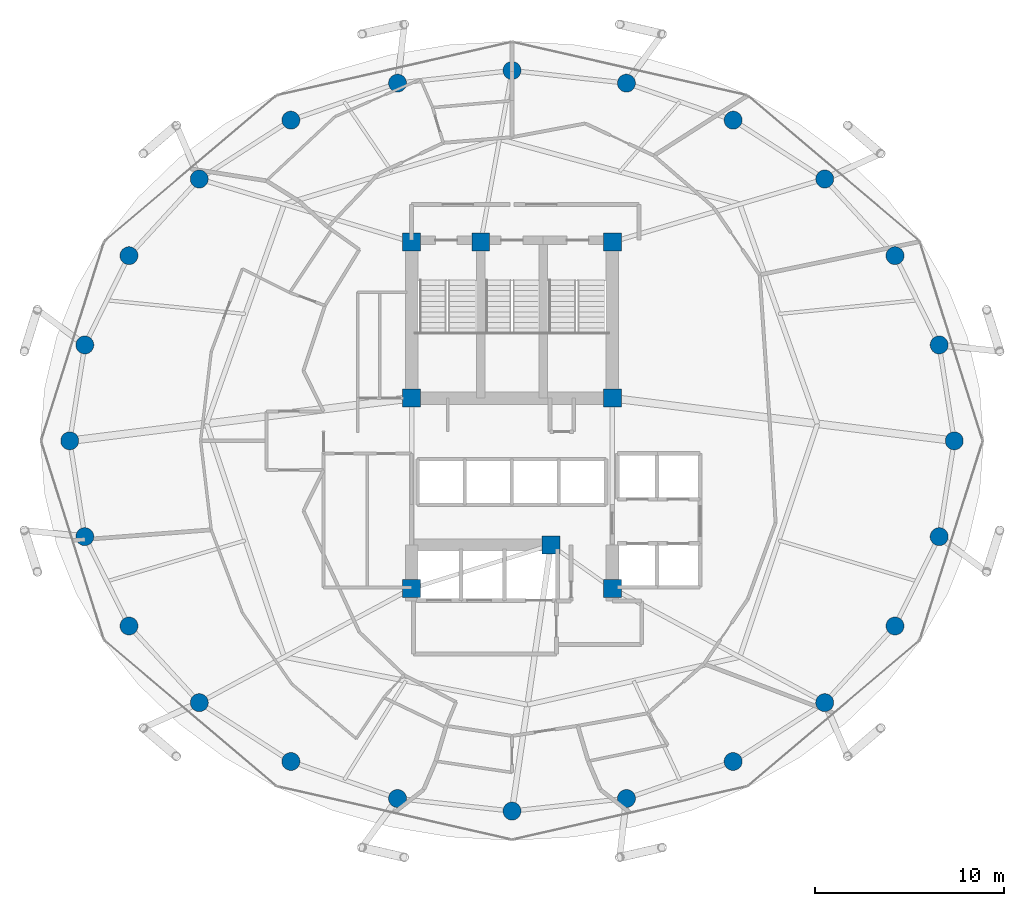
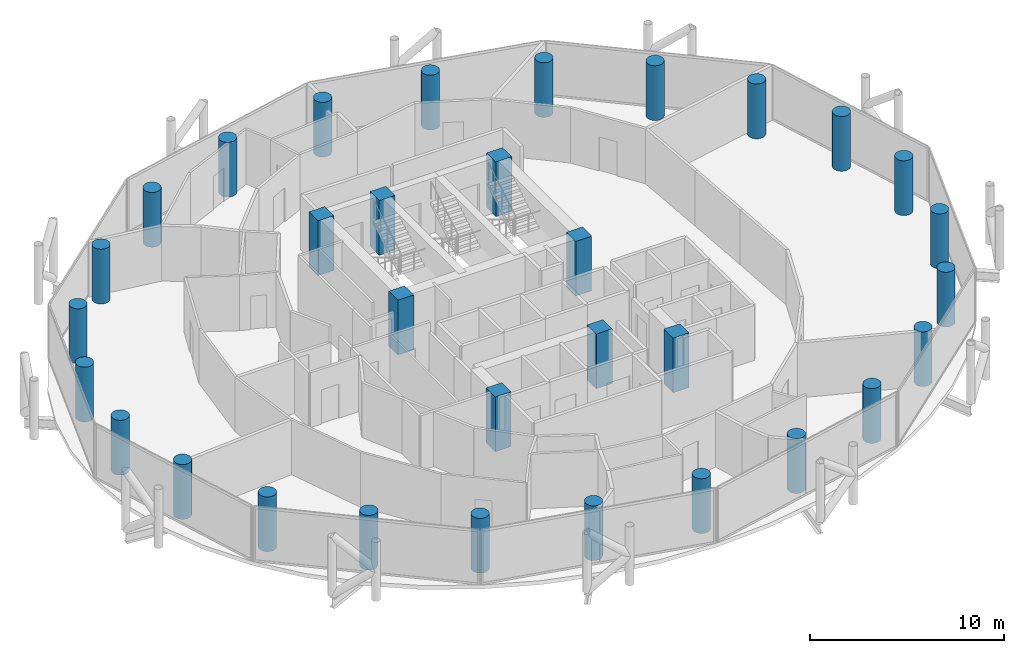
# One storey, part 1 of 26: 32 columns.
"""IFC4 building model written with IfcOpenShell, lengths in metres."""

from ifc_helpers import new_model, si_unit, direction, frame, origin, origin_2d, place, context, subcontext, project, spatial, rectangle, circle, extrude, material, material_profile, profile_set, type_object, element, save


model = new_model("IFC4")

# Units and contexts
model_context = context("Model", 3, precision=1e-05, world=origin(), true_north=direction((0.0, 1.0)))
body_context = subcontext(model_context, "Body", "Model", "MODEL_VIEW")
ifc_project = project(units=[si_unit("LENGTHUNIT", "METRE"), si_unit("AREAUNIT", "SQUARE_METRE"), si_unit("VOLUMEUNIT", "CUBIC_METRE"), si_unit("PLANEANGLEUNIT", "RADIAN"), si_unit("MASSUNIT", "GRAM", prefix="KILO")], contexts=[model_context])

# Site, building, storey
site_placement = place(None, origin())
site = spatial("IfcSite", under=ifc_project, at=site_placement, CompositionType="ELEMENT")
building_placement = place(site_placement, origin())
building = spatial("IfcBuilding", under=site, at=building_placement, Name="Nuhasar Tower", CompositionType="ELEMENT")
storey_placement = place(building_placement, frame((0.0, 0.0, 140.449951171875)))
storey = spatial("IfcBuildingStorey", under=building, at=storey_placement, Name="L33", CompositionType="ELEMENT", Elevation=140.449951171875)

# Columns
ifc_material = material(Name="Concrete C65/80", Category="concrete")
ifc_material_profile_1 = material_profile(ifc_material, circle(Radius=0.47509765625, at=origin_2d()), Name="CFT950")
ifc_profile_set_1 = profile_set([ifc_material_profile_1], Name="Concrete C65/80")
column_type_1 = type_object("IfcColumnType", Name="COL-CFT-950", PredefinedType="COLUMN", material=ifc_profile_set_1)
for number, where, z_axis, x_axis, name in (
    (1, (62.35009765625, 26.800048828125, 0.0), (0.0, 0.0, 1.0), (1.0, 0.0, 0.0), "L33 Perimeter Composite Column TC-01"),
    (2, (61.553955078125, 31.860107421875, 0.0), (0.0, 0.0, 1.0), (1.0, 0.0, 0.0), "L33 Perimeter Composite Column TC-02"),
    (3, (59.221923828125, 36.574951171875, 0.0), (0.0, 0.0, 1.0), (1.0, 0.0, 0.0), "L33 Perimeter Composite Column TC-03"),
    (4, (55.510986328125, 40.6240234375, 0.0), (0.0, 0.0, 1.0), (1.0, 0.0, 0.0), "L33 Perimeter Composite Column TC-04"),
    (5, (50.675048828125, 43.73095703125, 0.0), (0.0, 0.0, 1.0), (1.0, 0.0, 0.0), "L33 Perimeter Composite Column TC-05"),
    (6, (45.04296875, 45.68408203125, 0.0), (0.0, 0.0, 1.0), (1.0, 0.0, 0.0), "L33 Perimeter Composite Column TC-06"),
    (7, (39.0, 46.35009765625, 0.0), (0.0, 0.0, 1.0), (1.0, 0.0, 0.0), "L33 Perimeter Composite Column TC-07"),
    (8, (32.95703125, 45.68408203125, 0.0), (0.0, 0.0, 1.0), (1.0, 0.0, 0.0), "L33 Perimeter Composite Column TC-08"),
    (9, (27.324951171875, 43.73095703125, 0.0), (0.0, 0.0, 1.0), (1.0, 0.0, 0.0), "L33 Perimeter Composite Column TC-09"),
    (10, (22.489013671875, 40.6240234375, 0.0), (0.0, 0.0, 1.0), (1.0, 0.0, 0.0), "L33 Perimeter Composite Column TC-10"),
    (11, (18.778076171875, 36.574951171875, 0.0), (0.0, 0.0, 1.0), (1.0, 0.0, 0.0), "L33 Perimeter Composite Column TC-11"),
    (12, (16.446044921875, 31.860107421875, 0.0), (0.0, 0.0, 1.0), (1.0, 0.0, 0.0), "L33 Perimeter Composite Column TC-12"),
    (13, (15.64990234375, 26.800048828125, 0.0), (0.0, 0.0, 1.0), (1.0, 0.0, 0.0), "L33 Perimeter Composite Column TC-13"),
    (14, (16.446044921875, 21.739990234375, 0.0), (0.0, 0.0, 1.0), (1.0, 0.0, 0.0), "L33 Perimeter Composite Column TC-14"),
    (15, (18.778076171875, 17.02490234375, 0.0), (0.0, 0.0, 1.0), (1.0, 0.0, 0.0), "L33 Perimeter Composite Column TC-15"),
    (16, (22.489013671875, 12.97607421875, 0.0), (0.0, 0.0, 1.0), (1.0, 0.0, 0.0), "L33 Perimeter Composite Column TC-16"),
    (17, (27.324951171875, 9.868896484375, 0.0), (0.0, 0.0, 1.0), (1.0, 0.0, 0.0), "L33 Perimeter Composite Column TC-17"),
    (18, (32.95703125, 7.916015625, 0.0), (0.0, 0.0, 1.0), (1.0, 0.0, 0.0), "L33 Perimeter Composite Column TC-18"),
    (19, (39.0, 7.25, 0.0), (0.0, 0.0, 1.0), (1.0, 0.0, 0.0), "L33 Perimeter Composite Column TC-19"),
    (20, (45.04296875, 7.916015625, 0.0), (0.0, 0.0, 1.0), (1.0, 0.0, 0.0), "L33 Perimeter Composite Column TC-20"),
    (21, (50.675048828125, 9.868896484375, 0.0), (0.0, 0.0, 1.0), (1.0, 0.0, 0.0), "L33 Perimeter Composite Column TC-21"),
    (22, (55.510986328125, 12.97607421875, 0.0), (0.0, 0.0, 1.0), (1.0, 0.0, 0.0), "L33 Perimeter Composite Column TC-22"),
    (23, (59.221923828125, 17.02490234375, 0.0), (0.0, 0.0, 1.0), (1.0, 0.0, 0.0), "L33 Perimeter Composite Column TC-23"),
    (24, (61.553955078125, 21.739990234375, 0.0), (0.0, 0.0, 1.0), (1.0, 0.0, 0.0), "L33 Perimeter Composite Column TC-24"),
):
    element("IfcColumn", number, at=place(storey_placement, frame(where, z_axis=z_axis, x_axis=x_axis)), inside=storey, type_object=column_type_1, Name=name, PredefinedType="COLUMN", context=body_context, shape_type="SweptSolid", body=[
        extrude(circle(Radius=0.47509765625, at=origin_2d()), origin(), (0.0, 0.0, 1.0), 3.449951171875),
    ])
ifc_material_profile_2 = material_profile(ifc_material, rectangle(XDim=0.949951171875, YDim=0.949951171875, at=origin_2d()), Name="RC950X950")
ifc_profile_set_2 = profile_set([ifc_material_profile_2], Name="Concrete C65/80")
column_type_2 = type_object("IfcColumnType", Name="PIL-RC-950", PredefinedType="PILASTER", material=ifc_profile_set_2)
for number, where, z_axis, x_axis, name in (
    (25, (33.699951171875, 19.0, 0.0), (0.0, 0.0, 1.0), (1.0, 0.0, 0.0), "L33 Core Boundary Pilaster CC-01"),
    (26, (41.050048828125, 21.300048828125, 0.0), (0.0, 0.0, 1.0), (1.0, 0.0, 0.0), "L33 Core Boundary Pilaster CC-02"),
    (27, (44.300048828125, 19.0, 0.0), (0.0, 0.0, 1.0), (1.0, 0.0, 0.0), "L33 Core Boundary Pilaster CC-03"),
    (28, (44.300048828125, 29.050048828125, 0.0), (0.0, 0.0, 1.0), (1.0, 0.0, 0.0), "L33 Core Boundary Pilaster CC-04"),
    (29, (44.300048828125, 37.300048828125, 0.0), (0.0, 0.0, 1.0), (1.0, 0.0, 0.0), "L33 Core Boundary Pilaster CC-05"),
    (30, (37.35009765625, 37.300048828125, 0.0), (0.0, 0.0, 1.0), (1.0, 0.0, 0.0), "L33 Core Boundary Pilaster CC-06"),
    (31, (33.699951171875, 37.300048828125, 0.0), (0.0, 0.0, 1.0), (1.0, 0.0, 0.0), "L33 Core Boundary Pilaster CC-07"),
    (32, (33.699951171875, 29.050048828125, 0.0), (0.0, 0.0, 1.0), (1.0, 0.0, 0.0), "L33 Core Boundary Pilaster CC-08"),
):
    element("IfcColumn", number, at=place(storey_placement, frame(where, z_axis=z_axis, x_axis=x_axis)), inside=storey, type_object=column_type_2, Name=name, PredefinedType="PILASTER", context=body_context, shape_type="SweptSolid", body=[
        extrude(rectangle(XDim=0.949951171875, YDim=0.949951171875, at=origin_2d()), origin(), (0.0, 0.0, 1.0), 3.449951171875),
    ])

save(model, "model.ifc")
